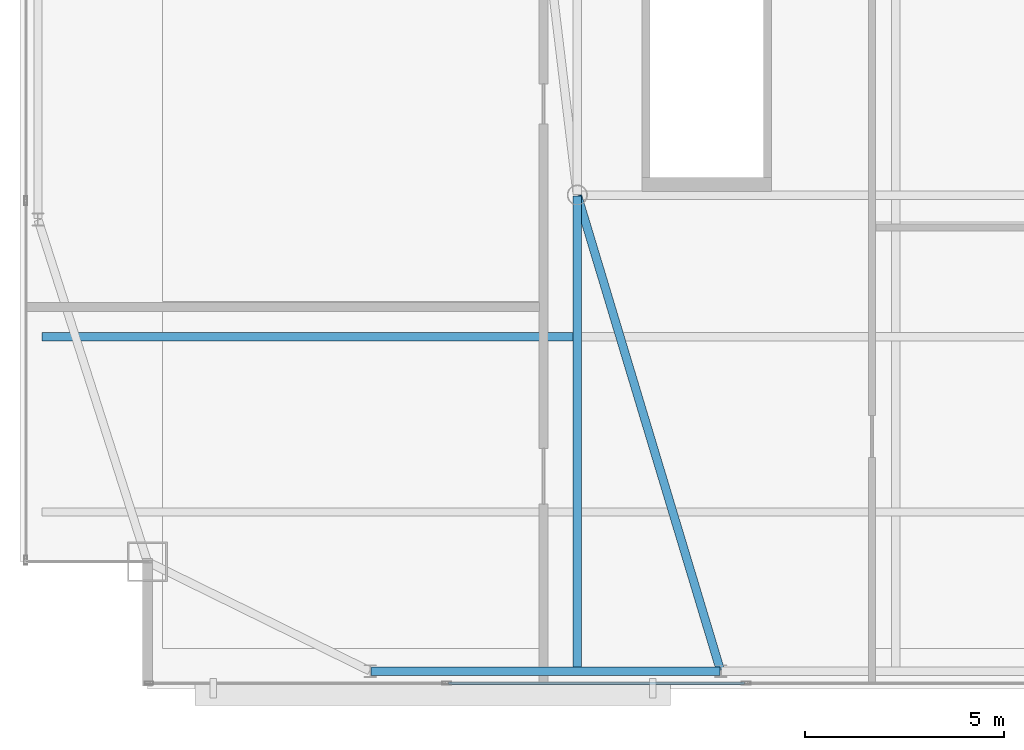
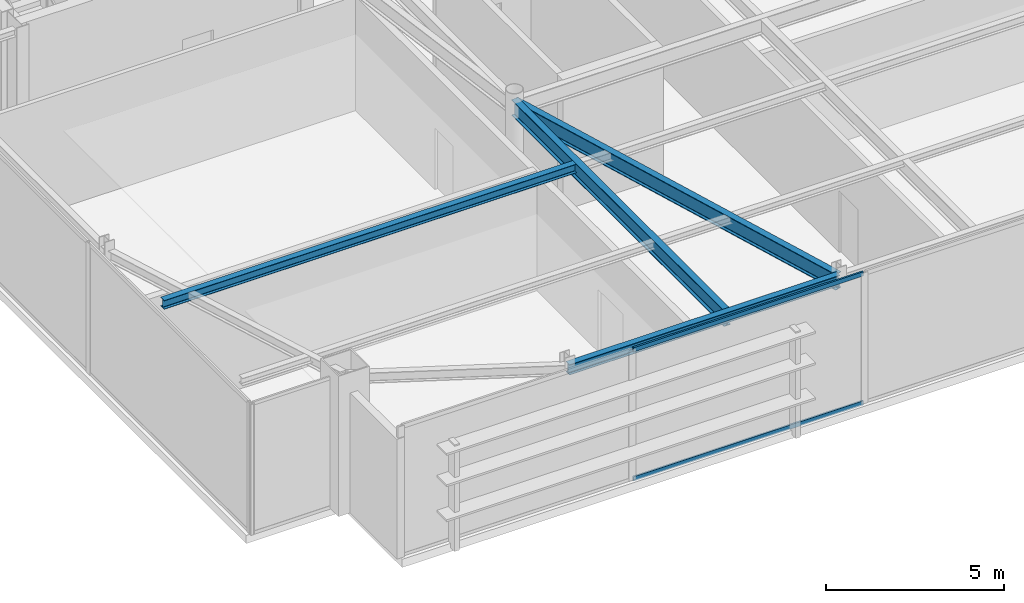
# One storey, part 6 of 20: 4 beams, 2 members, 1 element without a shape of its own.
"""IFC4 building model written with IfcOpenShell, lengths in metres."""

import ifcopenshell
import ifcopenshell.guid

model = None  # the IFC model being written
_history = None  # IfcOwnerHistory: only IFC2X3 demands one
_inside = {}  # id of a spatial element -> (the spatial element, [elements in it])
_under = {}  # id of a project, library or spatial element -> (it, [spatial elements below it])
_declared = {}  # id of a project -> (the project, [libraries it declares])
_typed = {}  # id of a type object -> (the type object, [elements of that type])
_made_of = {}  # id of a material, layer set ... -> (it, [elements and type objects made of it])


def new_model(schema):
    """Start an empty IFC model of exactly this schema.

    Asked for "IFC4X3", IfcOpenShell would pick the latest addendum, in which some entities
    have other attributes; the version numbers below select the first issue.
    IFC2X3 requires an IfcOwnerHistory on every rooted entity: one is made here for all.
    """
    global model, _history
    if schema == "IFC4X3":
        model = ifcopenshell.file(schema_version=(4, 3, 0, 0))
    else:
        model = ifcopenshell.file(schema=schema)
    _inside.clear()
    _under.clear()
    _declared.clear()
    _typed.clear()
    _made_of.clear()
    _history = None
    if model.schema == "IFC2X3":
        org = make("IfcOrganization", Name="unknown")
        user = make(
            "IfcPersonAndOrganization",
            ThePerson=make("IfcPerson", FamilyName="unknown"),
            TheOrganization=org,
        )
        app = make(
            "IfcApplication",
            ApplicationDeveloper=org,
            Version="unknown",
            ApplicationFullName="unknown",
            ApplicationIdentifier="unknown",
        )
        _history = make(
            "IfcOwnerHistory",
            OwningUser=user,
            OwningApplication=app,
            ChangeAction="ADDED",
            CreationDate=0,
        )
    return model


def make(cls, **values):
    """One entity of the class cls with the attributes given. An attribute that is None is left unset."""
    return model.create_entity(
        cls, **{name: value for name, value in values.items() if value is not None}
    )


def rooted(cls, **values):
    """An entity with a GlobalId (a new one), such as an element, a storey or a relation."""
    return make(cls, GlobalId=ifcopenshell.guid.new(), OwnerHistory=_history, **values)


def si_unit(unit_type, name, prefix=None):
    """IfcSIUnit, for example si_unit("LENGTHUNIT", "METRE", prefix="MILLI")."""
    return make("IfcSIUnit", UnitType=unit_type, Prefix=prefix, Name=name)


def assignment(units):
    """IfcUnitAssignment: the units of a project."""
    return None if units is None else make("IfcUnitAssignment", Units=units)


def point(xyz):
    """IfcCartesianPoint."""
    return None if xyz is None else make("IfcCartesianPoint", Coordinates=xyz)


def direction(xyz):
    """IfcDirection."""
    return None if xyz is None else make("IfcDirection", DirectionRatios=xyz)


def frame(location, z_axis=None, x_axis=None):
    """IfcAxis2Placement3D, a coordinate frame: its origin and axes. An axis left out is left unset."""
    return make(
        "IfcAxis2Placement3D",
        Location=point(location),
        Axis=direction(z_axis),
        RefDirection=direction(x_axis),
    )


def frame_2d(location, x_axis=None):
    """IfcAxis2Placement2D, a coordinate frame in the plane: its origin and x axis."""
    return make(
        "IfcAxis2Placement2D", Location=point(location), RefDirection=direction(x_axis)
    )


def origin():
    """The frame at (0, 0, 0) with its axes left unset."""
    return frame((0.0, 0.0, 0.0))


def origin_2d():
    """The frame at (0, 0) in the plane with its x axis left unset."""
    return frame_2d((0.0, 0.0))


def place(relative_to, where):
    """IfcLocalPlacement: puts the frame where relative to a parent placement (None: the world)."""
    return make(
        "IfcLocalPlacement", PlacementRelTo=relative_to, RelativePlacement=where
    )


def context(
    kind, dimensions, precision=None, world=None, true_north=None, identifier=None
):
    """IfcGeometricRepresentationContext, for example the 3D "Model" context."""
    return make(
        "IfcGeometricRepresentationContext",
        ContextIdentifier=identifier,
        ContextType=kind,
        CoordinateSpaceDimension=dimensions,
        Precision=precision,
        WorldCoordinateSystem=world,
        TrueNorth=true_north,
    )


def subcontext(parent, identifier, kind, view, scale=None):
    """IfcGeometricRepresentationSubContext, for example "Body" below "Model"."""
    return make(
        "IfcGeometricRepresentationSubContext",
        ContextIdentifier=identifier,
        ContextType=kind,
        ParentContext=parent,
        TargetScale=scale,
        TargetView=view,
    )


def project(units=None, contexts=None):
    """IfcProject with its units and contexts."""
    return rooted(
        "IfcProject",
        Name="project",
        RepresentationContexts=contexts,
        UnitsInContext=assignment(units),
    )


def spatial(cls, under=None, at=None, **own):
    """A site, building, storey or space (cls), placed at a placement, below another one or the project."""
    s = rooted(cls, ObjectPlacement=at, **own)
    if under is not None:
        _under.setdefault(under.id(), (under, []))[1].append(s)
    return s


def profile(cls, at=None, kind="AREA", **sizes):
    """A parametric profile (cls). Its sizes go by their IFC names, for example OverallWidth=200.0."""
    return make(cls, ProfileType=kind, Position=at, **sizes)


def hollow_rectangle(**sizes):
    """IfcRectangleHollowProfileDef."""
    return profile("IfcRectangleHollowProfileDef", **sizes)


def i_section(**sizes):
    """IfcIShapeProfileDef."""
    return profile("IfcIShapeProfileDef", **sizes)


def extrude(swept, where, along, depth):
    """IfcExtrudedAreaSolid: the profile swept, set in the frame where, extruded along a direction by depth."""
    return make(
        "IfcExtrudedAreaSolid",
        SweptArea=swept,
        Position=where,
        ExtrudedDirection=direction(along),
        Depth=depth,
    )


def shape(context_of_items, identifier, shape_type, items):
    """IfcShapeRepresentation: the items that make up one representation, for example the "Body"."""
    return make(
        "IfcShapeRepresentation",
        ContextOfItems=context_of_items,
        RepresentationIdentifier=identifier,
        RepresentationType=shape_type,
        Items=items,
    )


def source(mapping_origin, context_of_items, identifier, shape_type, items):
    """IfcRepresentationMap: a shape defined once, which mapped items show again and again."""
    return make(
        "IfcRepresentationMap",
        MappingOrigin=mapping_origin,
        MappedRepresentation=shape(context_of_items, identifier, shape_type, items),
    )


def transform(
    local_origin,
    x_axis=None,
    y_axis=None,
    z_axis=None,
    scale=None,
    scale2=None,
    scale3=None,
    uniform=True,
):
    """IfcCartesianTransformationOperator3D, or its non-uniform kind. x_axis, y_axis, z_axis: its Axis1, 2, 3."""
    if uniform:
        return make(
            "IfcCartesianTransformationOperator3D",
            Axis1=direction(x_axis),
            Axis2=direction(y_axis),
            LocalOrigin=point(local_origin),
            Scale=scale,
            Axis3=direction(z_axis),
        )
    return make(
        "IfcCartesianTransformationOperator3DnonUniform",
        Axis1=direction(x_axis),
        Axis2=direction(y_axis),
        LocalOrigin=point(local_origin),
        Scale=scale,
        Axis3=direction(z_axis),
        Scale2=scale2,
        Scale3=scale3,
    )


def mapped(mapping_source, mapping_target):
    """IfcMappedItem: shows the shape of a source again, moved by a transform."""
    return make(
        "IfcMappedItem", MappingSource=mapping_source, MappingTarget=mapping_target
    )


def material(Name=None, Category=None):
    """IfcMaterial."""
    return make("IfcMaterial", Name=Name, Category=Category)


def layer(
    of_material, thickness, ventilated=None, Name=None, Category=None, Priority=None
):
    """IfcMaterialLayer: one layer of a wall or slab, of a material (None: an air gap)."""
    return make(
        "IfcMaterialLayer",
        Material=of_material,
        LayerThickness=thickness,
        IsVentilated=ventilated,
        Name=Name,
        Category=Category,
        Priority=Priority,
    )


def layer_set(layers, Name=None):
    """IfcMaterialLayerSet."""
    return make("IfcMaterialLayerSet", MaterialLayers=layers, LayerSetName=Name)


def material_profile(
    of_material, cross_section, Name=None, Category=None, Priority=None
):
    """IfcMaterialProfile: a cross section and its material."""
    return make(
        "IfcMaterialProfile",
        Name=Name,
        Material=of_material,
        Profile=cross_section,
        Priority=Priority,
        Category=Category,
    )


def profile_set(profiles, Name=None, composite=None):
    """IfcMaterialProfileSet."""
    return make(
        "IfcMaterialProfileSet",
        Name=Name,
        MaterialProfiles=profiles,
        CompositeProfile=composite,
    )


def made_of(thing, what):
    """Note that an element or type object is made of a material, layer set ...; save() writes the relation."""
    if what is not None:
        _made_of.setdefault(what.id(), (what, []))[1].append(thing)
    return thing


def type_object(cls, material=None, **own):
    """A type object (cls), such as IfcWallType, which elements share."""
    return made_of(rooted(cls, **own), material)


def type_shapes(of_type, sources):
    """Give a type object the sources (RepresentationMaps) that its elements show as mapped items."""
    of_type.RepresentationMaps = sources


def element(
    cls,
    number,
    at=None,
    inside=None,
    cuts=None,
    type_object=None,
    material=None,
    context=None,
    identifier="Body",
    shape_type=None,
    held_by="IfcProductDefinitionShape",
    body=None,
    shapes=None,
    **own,
):
    """One element of the class cls, such as IfcWall. Its Tag is "e" and its number.

    at: its placement. inside: the storey or other place that contains it. cuts: it is an
    opening in that element (IfcRelVoidsElement). A single representation is given by context,
    identifier, shape_type and body (its items); several are given by shapes. held_by: the class
    of the entity that holds the representations. save() writes the other relations.
    """
    e = rooted(cls, Tag="e%d" % number, ObjectPlacement=at, **own)
    if body is not None:
        shapes = [shape(context, identifier, shape_type, body)]
    if shapes is not None:
        e.Representation = make(held_by, Representations=shapes)
    if inside is not None:
        _inside.setdefault(inside.id(), (inside, []))[1].append(e)
    if cuts is not None:
        rooted(
            "IfcRelVoidsElement", RelatingBuildingElement=cuts, RelatedOpeningElement=e
        )
    if type_object is not None:
        _typed.setdefault(type_object.id(), (type_object, []))[1].append(e)
    return made_of(e, material)


def aggregate(whole, parts):
    """IfcRelAggregates: a whole, such as a stair, and the parts it consists of."""
    return rooted("IfcRelAggregates", RelatingObject=whole, RelatedObjects=parts)


def save(model, path):
    """Write the relations noted so far, then the file.

    IfcRelAggregates (storeys below a building ...), IfcRelContainedInSpatialStructure (elements
    in a storey), IfcRelDefinesByType, IfcRelAssociatesMaterial and IfcRelDeclares: one each for
    every whole, place, type object, material and project.
    """
    for whole, parts in _under.values():
        aggregate(whole, parts)
    for where, things in _inside.values():
        rooted(
            "IfcRelContainedInSpatialStructure",
            RelatedElements=things,
            RelatingStructure=where,
        )
    for kind, things in _typed.values():
        rooted("IfcRelDefinesByType", RelatedObjects=things, RelatingType=kind)
    for what, things in _made_of.values():
        rooted("IfcRelAssociatesMaterial", RelatedObjects=things, RelatingMaterial=what)
    for by, libraries in _declared.values():
        rooted("IfcRelDeclares", RelatingContext=by, RelatedDefinitions=libraries)
    model.write(path)


model = new_model("IFC4")

# Units and contexts
model_context = context("Model", 3, precision=1e-05, world=origin(), true_north=direction((0.0, 1.0)))
body_context = subcontext(model_context, "Body", "Model", "MODEL_VIEW")
ifc_project = project(units=[si_unit("LENGTHUNIT", "METRE"), si_unit("AREAUNIT", "SQUARE_METRE"), si_unit("VOLUMEUNIT", "CUBIC_METRE"), si_unit("PLANEANGLEUNIT", "RADIAN"), si_unit("MASSUNIT", "GRAM", prefix="KILO")], contexts=[model_context])

# Site, building, storey
site_placement = place(None, origin())
site = spatial("IfcSite", under=ifc_project, at=site_placement, CompositionType="ELEMENT")
building_placement = place(site_placement, origin())
building = spatial("IfcBuilding", under=site, at=building_placement, Name="Varnel Quay Broadcast Tower", CompositionType="ELEMENT")
storey_placement = place(building_placement, frame((0.0, 0.0, 309.800048828125)))
storey = spatial("IfcBuildingStorey", under=building, at=storey_placement, Name="L77", CompositionType="ELEMENT", Elevation=309.800048828125)

# Beams
ifc_material_1 = material(Name="Structural Steel CSA G40.21 350W", Category="steel")
ifc_material_profile_1 = material_profile(ifc_material_1, i_section(OverallWidth=0.205078125, OverallDepth=0.35400390625, WebThickness=0.009521484375, FlangeThickness=0.016845703125, FilletRadius=0.012939453125, at=origin_2d()), Name="W360X79")
ifc_profile_set_1 = profile_set([ifc_material_profile_1], Name="Structural Steel CSA G40.21 350W")
beam_type_1 = type_object("IfcBeamType", Name="Beam_W360X79", PredefinedType="SPANDREL", material=ifc_profile_set_1)
shared_shape_1 = source(origin(), body_context, "Body", "SweptSolid", [
    extrude(i_section(OverallWidth=0.205078125, OverallDepth=0.35400390625, WebThickness=0.009521484375, FlangeThickness=0.016845703125, FilletRadius=0.012939453125, at=origin_2d()), origin(), (0.0, 0.0, 1.0), 8.760009765625),
])
type_shapes(beam_type_1, [shared_shape_1])
beam_1_placement = place(storey_placement, frame((20.820068359375, 13.64990234375, 4.302978515625), z_axis=(1.0, 0.0, 0.0), x_axis=(0.0, 1.0, 0.0)))
element("IfcBeam", 1, at=beam_1_placement, inside=storey, type_object=beam_type_1, Name="L77 South Spandrel TC-S1-TC-S2", PredefinedType="SPANDREL", context=body_context, shape_type="MappedRepresentation", body=[
    mapped(shared_shape_1, transform((0.0, 0.0, 0.0), x_axis=(1.0, 0.0, 0.0), y_axis=(0.0, 1.0, 0.0), z_axis=(0.0, 0.0, 1.0), scale=1.0)),
])
ifc_material_profile_2 = material_profile(ifc_material_1, i_section(OverallWidth=0.2119140625, OverallDepth=0.5439453125, WebThickness=0.01318359375, FlangeThickness=0.021240234375, FilletRadius=0.013916015625, at=origin_2d()), Name="W530X123")
ifc_profile_set_2 = profile_set([ifc_material_profile_2], Name="Structural Steel CSA G40.21 350W")
beam_type_2 = type_object("IfcBeamType", Name="Girder_W530X123", PredefinedType="BEAM", material=ifc_profile_set_2)
shared_shape_2 = source(origin(), body_context, "Body", "SweptSolid", [
    extrude(i_section(OverallWidth=0.2119140625, OverallDepth=0.5439453125, WebThickness=0.01318359375, FlangeThickness=0.021240234375, FilletRadius=0.013916015625, at=origin_2d()), origin(), (0.0, 0.0, 1.0), 12.449951171875),
])
beam_2_placement = place(storey_placement, frame((29.59423828125, 13.669189453125, 4.2080078125), z_axis=(-0.28822390679, 0.957563042078, 0.0), x_axis=(-0.957563042078, -0.28822390679, 0.0)))
element("IfcBeam", 2, at=beam_2_placement, inside=storey, type_object=beam_type_2, Name="L77 Primary Girder TC-S2-IC-01", PredefinedType="BEAM", context=body_context, shape_type="MappedRepresentation", body=[
    mapped(shared_shape_2, transform((0.0, 0.0, 0.0), x_axis=(1.0, 0.0, 0.0), y_axis=(0.0, 1.0, 0.0), z_axis=(0.0, 0.0, 1.0), scale=1.0)),
])
shared_shape_3 = source(origin(), body_context, "Body", "SweptSolid", [
    extrude(i_section(OverallWidth=0.2119140625, OverallDepth=0.5439453125, WebThickness=0.01318359375, FlangeThickness=0.021240234375, FilletRadius=0.013916015625, at=origin_2d()), origin(), (0.0, 0.0, 1.0), 11.920166015625),
])
type_shapes(beam_type_2, [shared_shape_2, shared_shape_3])
beam_3_placement = place(storey_placement, frame((26.0, 13.669921875, 4.2080078125), z_axis=(0.0, 1.0, 0.0), x_axis=(-1.0, 0.0, 0.0)))
element("IfcBeam", 3, at=beam_3_placement, inside=storey, type_object=beam_type_2, Name="L77 N-S Joist Header IC-01S", PredefinedType="BEAM", context=body_context, shape_type="MappedRepresentation", body=[
    mapped(shared_shape_3, transform((0.0, 0.0, 0.0), x_axis=(1.0, 0.0, 0.0), y_axis=(0.0, 1.0, 0.0), z_axis=(0.0, 0.0, 1.0), scale=1.0)),
])
ifc_material_profile_3 = material_profile(ifc_material_1, i_section(OverallWidth=0.202880859375, OverallDepth=0.302978515625, WebThickness=0.007568359375, FlangeThickness=0.01318359375, FilletRadius=0.011962890625, at=origin_2d()), Name="W310X60")
ifc_profile_set_3 = profile_set([ifc_material_profile_3], Name="Structural Steel CSA G40.21 350W")
beam_type_3 = type_object("IfcBeamType", Name="Beam_W310X60", PredefinedType="JOIST", material=ifc_profile_set_3)
shared_shape_4 = source(origin(), body_context, "Body", "SweptSolid", [
    extrude(i_section(OverallWidth=0.202880859375, OverallDepth=0.302978515625, WebThickness=0.007568359375, FlangeThickness=0.01318359375, FilletRadius=0.011962890625, at=origin_2d()), origin(), (0.0, 0.0, 1.0), 13.351318359375),
])
type_shapes(beam_type_3, [shared_shape_4])
beam_4_placement = place(storey_placement, frame((12.547607421875, 22.050048828125, 4.328369140625), z_axis=(1.0, 0.0, 0.0), x_axis=(0.0, 1.0, 0.0)))
element("IfcBeam", 4, at=beam_4_placement, inside=storey, type_object=beam_type_3, Name="L77 West Floor Joist 2", PredefinedType="JOIST", context=body_context, shape_type="MappedRepresentation", body=[
    mapped(shared_shape_4, transform((0.0, 0.0, 0.0), x_axis=(1.0, 0.0, 0.0), y_axis=(0.0, 1.0, 0.0), z_axis=(0.0, 0.0, 1.0), scale=1.0)),
])

# Curtain wall, members
ifc_material_2 = material(Name="Anodised Bronze Aluminium 6063-T6", Category="aluminium")
ifc_layer = layer(ifc_material_2, 0.18994140625, Name="Anodised Bronze Aluminium 6063-T6")
ifc_layer_set = layer_set([ifc_layer], Name="Anodised Bronze Aluminium 6063-T6")
curtain_wall_type = type_object("IfcCurtainWallType", Name="CW_SkyObsHighVis", PredefinedType="NOTDEFINED", material=ifc_layer_set)
curtain_wall_placement = place(storey_placement, origin())
curtain_wall = element("IfcCurtainWall", 5, at=curtain_wall_placement, inside=storey, type_object=curtain_wall_type, Name="L77 South Unitised Curtain Wall 1", PredefinedType="NOTDEFINED")
ifc_material_profile_4 = material_profile(ifc_material_2, hollow_rectangle(XDim=0.06005859375, YDim=0.14501953125, WallThickness=0.00341796875, at=origin_2d()), Name="ALU60X145X3.5")
ifc_profile_set_4 = profile_set([ifc_material_profile_4], Name="Anodised Bronze Aluminium 6063-T6")
member_type = type_object("IfcMemberType", Name="Tran_CWS-05", PredefinedType="USERDEFINED", material=ifc_profile_set_4)
shared_shape_5 = source(origin(), body_context, "Body", "SweptSolid", [
    extrude(hollow_rectangle(XDim=0.06005859375, YDim=0.14501953125, WallThickness=0.00341796875, at=origin_2d()), origin(), (0.0, 0.0, 1.0), 7.44482421875),
])
type_shapes(member_type, [shared_shape_5])
member_1_placement = place(storey_placement, frame((22.757568359375, 13.35009765625, 0.030029296875), z_axis=(1.0, 0.0, 0.0), x_axis=(0.0, 1.0, 0.0)))
member_1 = element("IfcMember", 6, at=member_1_placement, type_object=member_type, Name="CWS-05 transom 2.1", ObjectType="TRANSOM", PredefinedType="USERDEFINED", context=body_context, shape_type="MappedRepresentation", body=[
    mapped(shared_shape_5, transform((0.0, 0.0, 0.0), x_axis=(1.0, 0.0, 0.0), y_axis=(0.0, 1.0, 0.0), z_axis=(0.0, 0.0, 1.0), scale=1.0)),
])
member_2_placement = place(storey_placement, frame((22.757568359375, 13.35009765625, 4.449951171875), z_axis=(1.0, 0.0, 0.0), x_axis=(0.0, 1.0, 0.0)))
member_2 = element("IfcMember", 7, at=member_2_placement, type_object=member_type, Name="CWS-05 transom 2.2", ObjectType="TRANSOM", PredefinedType="USERDEFINED", context=body_context, shape_type="MappedRepresentation", body=[
    mapped(shared_shape_5, transform((0.0, 0.0, 0.0), x_axis=(1.0, 0.0, 0.0), y_axis=(0.0, 1.0, 0.0), z_axis=(0.0, 0.0, 1.0), scale=1.0)),
])
aggregate(curtain_wall, [member_1, member_2])

save(model, "model.ifc")
